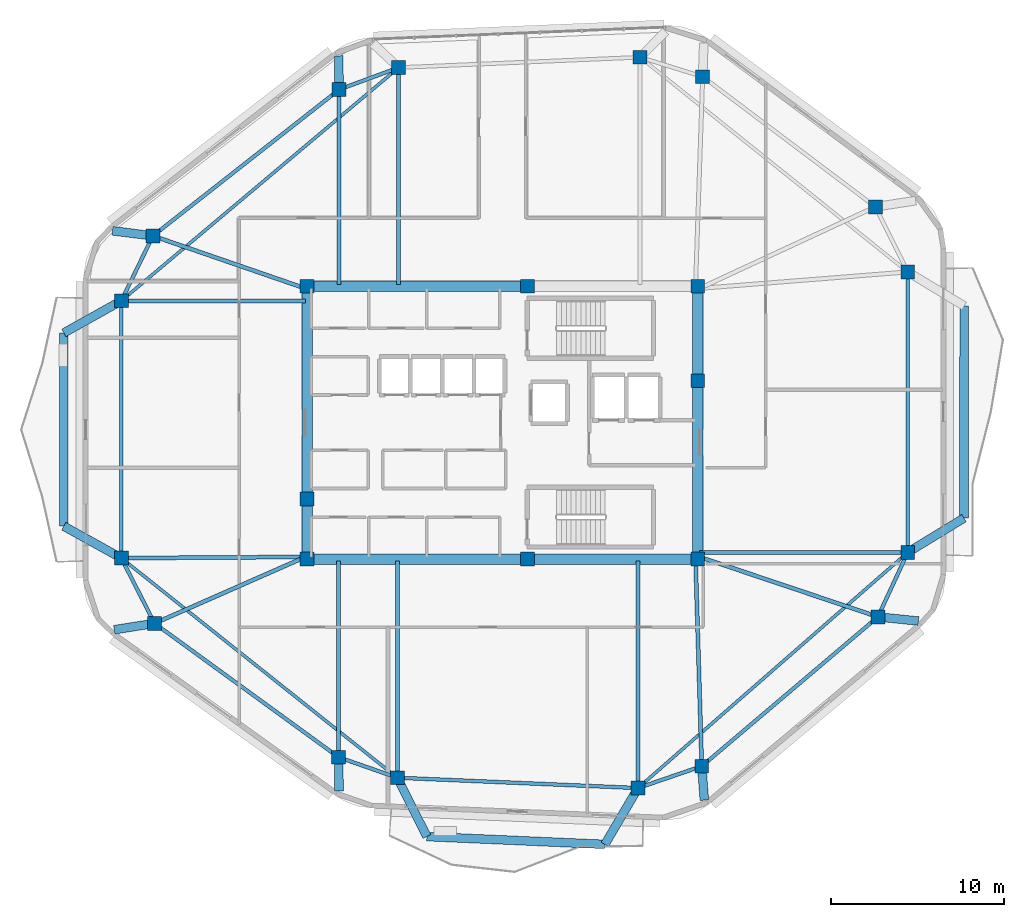
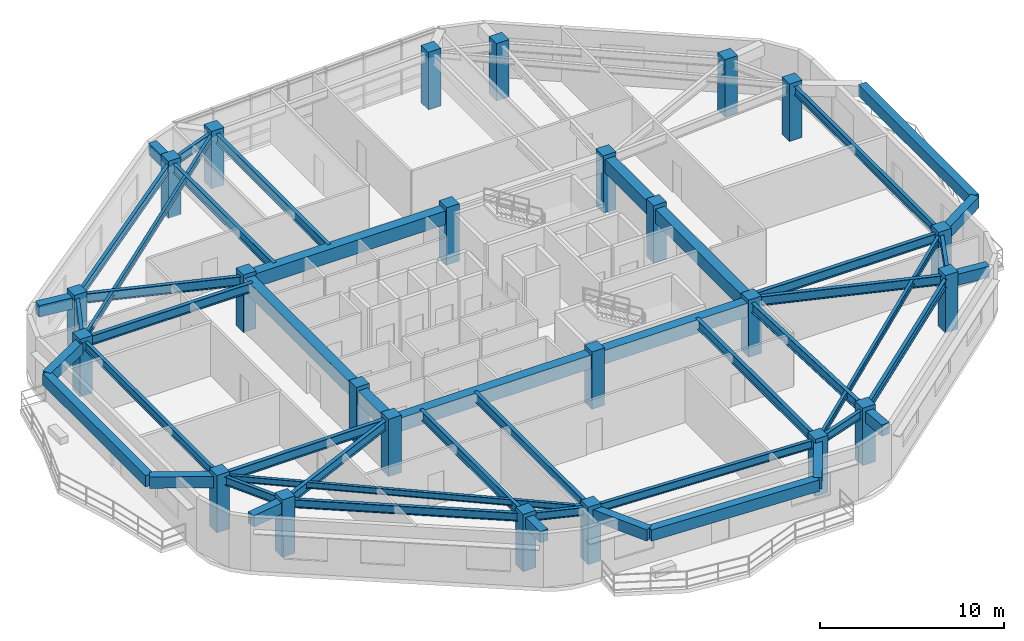
# One storey, part 1 of 12: 48 beams, 24 columns.
"""IFC4 building model written with IfcOpenShell, lengths in metres."""

from ifc_helpers import new_model, si_unit, direction, frame, origin, origin_2d, place, context, subcontext, project, spatial, rectangle, i_section, extrude, material, material_profile, profile_set, type_object, element, save


model = new_model("IFC4")

# Units and contexts
model_context = context("Model", 3, precision=1e-05, world=origin(), true_north=direction((0.0, 1.0)))
body_context = subcontext(model_context, "Body", "Model", "MODEL_VIEW")
ifc_project = project(units=[si_unit("LENGTHUNIT", "METRE"), si_unit("AREAUNIT", "SQUARE_METRE"), si_unit("VOLUMEUNIT", "CUBIC_METRE"), si_unit("PLANEANGLEUNIT", "RADIAN"), si_unit("MASSUNIT", "GRAM", prefix="KILO")], contexts=[model_context])

# Site, building, storey
site_placement = place(None, origin())
site = spatial("IfcSite", under=ifc_project, at=site_placement, CompositionType="ELEMENT")
building_placement = place(site_placement, origin())
building = spatial("IfcBuilding", under=site, at=building_placement, Name="Zulverin Broadcast Headquarters", CompositionType="ELEMENT")
storey_placement = place(building_placement, frame((0.0, 0.0, 285.800048828125)))
storey = spatial("IfcBuildingStorey", under=building, at=storey_placement, Name="L73", CompositionType="ELEMENT", Elevation=285.800048828125)

# Columns
ifc_material_1 = material(Name="Concrete C50/60", Category="concrete")
ifc_material_profile_1 = material_profile(ifc_material_1, rectangle(XDim=0.800048828125, YDim=0.800048828125, at=origin_2d()), Name="Concrete C50/60", Category="concrete")
ifc_profile_set_1 = profile_set([ifc_material_profile_1], Name="Concrete C50/60")
column_type_1 = type_object("IfcColumnType", Name="COL-RC-800", PredefinedType="COLUMN", material=ifc_profile_set_1)
for number, where, z_axis, x_axis, name in (
    (1, (30.93359375, 4.703125, 0.0), (0.0, 0.0, 1.0), (1.0, 0.0, 0.0), "L73 Perimeter Column T01"),
    (2, (44.826904296875, 4.1083984375, 0.0), (0.0, 0.0, 1.0), (1.0, 0.0, 0.0), "L73 Perimeter Column T02"),
    (3, (48.5078125, 5.3701171875, 0.0), (0.0, 0.0, 1.0), (1.0, 0.0, 0.0), "L73 Perimeter Column T03"),
    (4, (58.6748046875, 13.9892578125, 0.0), (0.0, 0.0, 1.0), (1.0, 0.0, 0.0), "L73 Perimeter Column T04"),
    (5, (60.39990234375, 17.713623046875, 0.0), (0.0, 0.0, 1.0), (1.0, 0.0, 0.0), "L73 Perimeter Column T05"),
    (6, (60.39990234375, 33.903076171875, 0.0), (0.0, 0.0, 1.0), (1.0, 0.0, 0.0), "L73 Perimeter Column T06"),
    (7, (58.52587890625, 37.661865234375, 0.0), (0.0, 0.0, 1.0), (1.0, 0.0, 0.0), "L73 Perimeter Column T07"),
    (8, (48.55908203125, 45.172607421875, 0.0), (0.0, 0.0, 1.0), (1.0, 0.0, 0.0), "L73 Perimeter Column T08"),
    (9, (44.944580078125, 46.296630859375, 0.0), (0.0, 0.0, 1.0), (1.0, 0.0, 0.0), "L73 Perimeter Column T09"),
    (10, (31.006591796875, 45.699951171875, 0.0), (0.0, 0.0, 1.0), (1.0, 0.0, 0.0), "L73 Perimeter Column T10"),
    (11, (27.573486328125, 44.4296875, 0.0), (0.0, 0.0, 1.0), (1.0, 0.0, 0.0), "L73 Perimeter Column T11"),
    (12, (16.82177734375, 35.98388671875, 0.0), (0.0, 0.0, 1.0), (1.0, 0.0, 0.0), "L73 Perimeter Column T12"),
    (13, (15.0, 32.236083984375, 0.0), (0.0, 0.0, 1.0), (1.0, 0.0, 0.0), "L73 Perimeter Column T13"),
    (14, (15.0, 17.383056640625, 0.0), (0.0, 0.0, 1.0), (1.0, 0.0, 0.0), "L73 Perimeter Column T14"),
    (15, (16.918212890625, 13.61572265625, 0.0), (0.0, 0.0, 1.0), (1.0, 0.0, 0.0), "L73 Perimeter Column T15"),
    (16, (27.54541015625, 5.8857421875, 0.0), (0.0, 0.0, 1.0), (1.0, 0.0, 0.0), "L73 Perimeter Column T16"),
):
    element("IfcColumn", number, at=place(storey_placement, frame(where, z_axis=z_axis, x_axis=x_axis)), inside=storey, type_object=column_type_1, Name=name, PredefinedType="COLUMN", context=body_context, shape_type="SweptSolid", body=[
        extrude(rectangle(XDim=0.800048828125, YDim=0.800048828125, at=origin_2d()), origin(), (0.0, 0.0, 1.0), 3.800048828125),
    ])
ifc_material_profile_2 = material_profile(ifc_material_1, rectangle(XDim=0.800048828125, YDim=0.800048828125, at=origin_2d()), Name="Concrete C50/60", Category="concrete")
ifc_profile_set_2 = profile_set([ifc_material_profile_2], Name="Concrete C50/60")
column_type_2 = type_object("IfcColumnType", Name="PIL-RC-800", PredefinedType="PILASTER", material=ifc_profile_set_2)
for number, where, z_axis, x_axis, name in (
    (17, (25.72509765625, 17.324951171875, 0.0), (0.0, 0.0, 1.0), (1.0, 0.0, 0.0), "L73 Core Pilaster K01"),
    (18, (38.449951171875, 17.324951171875, 0.0), (0.0, 0.0, 1.0), (1.0, 0.0, 0.0), "L73 Core Pilaster K02"),
    (19, (48.27490234375, 17.324951171875, 0.0), (0.0, 0.0, 1.0), (1.0, 0.0, 0.0), "L73 Core Pilaster K03"),
    (20, (48.27490234375, 27.6201171875, 0.0), (0.0, 0.0, 1.0), (1.0, 0.0, 0.0), "L73 Core Pilaster K04"),
    (21, (48.27490234375, 33.074951171875, 0.0), (0.0, 0.0, 1.0), (1.0, 0.0, 0.0), "L73 Core Pilaster K05"),
    (22, (38.449951171875, 33.074951171875, 0.0), (0.0, 0.0, 1.0), (1.0, 0.0, 0.0), "L73 Core Pilaster K06"),
    (23, (25.72509765625, 33.074951171875, 0.0), (0.0, 0.0, 1.0), (1.0, 0.0, 0.0), "L73 Core Pilaster K07"),
    (24, (25.72509765625, 20.800048828125, 0.0), (0.0, 0.0, 1.0), (1.0, 0.0, 0.0), "L73 Core Pilaster K08"),
):
    element("IfcColumn", number, at=place(storey_placement, frame(where, z_axis=z_axis, x_axis=x_axis)), inside=storey, type_object=column_type_2, Name=name, PredefinedType="PILASTER", context=body_context, shape_type="SweptSolid", body=[
        extrude(rectangle(XDim=0.800048828125, YDim=0.800048828125, at=origin_2d()), origin(), (0.0, 0.0, 1.0), 3.800048828125),
    ])

# Beams
ifc_material_2 = material(Name="Concrete C60/75", Category="concrete")
ifc_material_profile_3 = material_profile(ifc_material_2, rectangle(XDim=0.60009765625, YDim=0.89990234375, at=origin_2d()), Name="Concrete C60/75", Category="concrete")
ifc_profile_set_3 = profile_set([ifc_material_profile_3], Name="Concrete C60/75")
beam_type_1 = type_object("IfcBeamType", Name="BM-CB-600x900", PredefinedType="LINTEL", material=ifc_profile_set_3)
beam_1_placement = place(storey_placement, frame((25.72509765625, 17.324951171875, 3.08984375), z_axis=(1.0, 0.0, 0.0), x_axis=(0.0, 1.0, 0.0)))
element("IfcBeam", 25, at=beam_1_placement, inside=storey, type_object=beam_type_1, Name="L73 Core Coupling Girder K01-K02", PredefinedType="LINTEL", context=body_context, shape_type="SweptSolid", body=[
    extrude(rectangle(XDim=0.60009765625, YDim=0.89990234375, at=origin_2d()), origin(), (0.0, 0.0, 1.0), 12.724853515625),
])
beam_2_placement = place(storey_placement, frame((38.449951171875, 17.324951171875, 3.08984375), z_axis=(1.0, 0.0, 0.0), x_axis=(0.0, 1.0, 0.0)))
element("IfcBeam", 26, at=beam_2_placement, inside=storey, type_object=beam_type_1, Name="L73 Core Coupling Girder K02-K03", PredefinedType="LINTEL", context=body_context, shape_type="SweptSolid", body=[
    extrude(rectangle(XDim=0.60009765625, YDim=0.89990234375, at=origin_2d()), origin(), (0.0, 0.0, 1.0), 9.824951171875),
])
beam_3_placement = place(storey_placement, frame((48.27490234375, 17.324951171875, 3.08984375), z_axis=(0.0, 1.0, 0.0), x_axis=(-1.0, 0.0, 0.0)))
element("IfcBeam", 27, at=beam_3_placement, inside=storey, type_object=beam_type_1, Name="L73 Core Coupling Girder K03-K04", PredefinedType="LINTEL", context=body_context, shape_type="SweptSolid", body=[
    extrude(rectangle(XDim=0.60009765625, YDim=0.89990234375, at=origin_2d()), origin(), (0.0, 0.0, 1.0), 10.295166015625),
])
beam_4_placement = place(storey_placement, frame((48.27490234375, 27.6201171875, 3.08984375), z_axis=(0.0, 1.0, 0.0), x_axis=(-1.0, 0.0, 0.0)))
element("IfcBeam", 28, at=beam_4_placement, inside=storey, type_object=beam_type_1, Name="L73 Core Coupling Girder K04-K05", PredefinedType="LINTEL", context=body_context, shape_type="SweptSolid", body=[
    extrude(rectangle(XDim=0.60009765625, YDim=0.89990234375, at=origin_2d()), origin(), (0.0, 0.0, 1.0), 5.454833984375),
])
beam_5_placement = place(storey_placement, frame((38.449951171875, 33.074951171875, 3.08984375), z_axis=(-1.0, 0.0, 0.0), x_axis=(0.0, -1.0, 0.0)))
element("IfcBeam", 29, at=beam_5_placement, inside=storey, type_object=beam_type_1, Name="L73 Core Coupling Girder K06-K07", PredefinedType="LINTEL", context=body_context, shape_type="SweptSolid", body=[
    extrude(rectangle(XDim=0.60009765625, YDim=0.89990234375, at=origin_2d()), origin(), (0.0, 0.0, 1.0), 12.724853515625),
])
beam_6_placement = place(storey_placement, frame((25.72509765625, 33.074951171875, 3.08984375), z_axis=(0.0, -1.0, 0.0), x_axis=(1.0, 0.0, 0.0)))
element("IfcBeam", 30, at=beam_6_placement, inside=storey, type_object=beam_type_1, Name="L73 Core Coupling Girder K07-K08", PredefinedType="LINTEL", context=body_context, shape_type="SweptSolid", body=[
    extrude(rectangle(XDim=0.60009765625, YDim=0.89990234375, at=origin_2d()), origin(), (0.0, 0.0, 1.0), 12.27490234375),
])
beam_7_placement = place(storey_placement, frame((25.72509765625, 20.800048828125, 3.08984375), z_axis=(0.0, -1.0, 0.0), x_axis=(1.0, 0.0, 0.0)))
element("IfcBeam", 31, at=beam_7_placement, inside=storey, type_object=beam_type_1, Name="L73 Core Coupling Girder K08-K01", PredefinedType="LINTEL", context=body_context, shape_type="SweptSolid", body=[
    extrude(rectangle(XDim=0.60009765625, YDim=0.89990234375, at=origin_2d()), origin(), (0.0, 0.0, 1.0), 3.47509765625),
])
ifc_material_3 = material(Name="Concrete C40/50", Category="concrete")
ifc_material_profile_4 = material_profile(ifc_material_3, rectangle(XDim=0.5, YDim=0.75, at=origin_2d()), Name="Concrete C40/50", Category="concrete")
ifc_profile_set_4 = profile_set([ifc_material_profile_4], Name="Concrete C40/50")
beam_type_2 = type_object("IfcBeamType", Name="BM-RC-500x750", PredefinedType="BEAM", material=ifc_profile_set_4)
beam_8_placement = place(storey_placement, frame((48.5078125, 5.3701171875, 3.1650390625), z_axis=(0.074434680239, -0.997225891349, 0.0), x_axis=(0.997225891349, 0.074434680239, 0.0)))
element("IfcBeam", 32, at=beam_8_placement, inside=storey, type_object=beam_type_2, Name="L74 Plate Overhang Back-Spanned Beam OVR-03", PredefinedType="BEAM", context=body_context, shape_type="SweptSolid", body=[
    extrude(rectangle(XDim=0.5, YDim=0.75, at=origin_2d()), origin(), (0.0, 0.0, 1.0), 1.964599609375),
])
beam_9_placement = place(storey_placement, frame((58.6748046875, 13.9892578125, 3.1650390625), z_axis=(0.994775761489, -0.10208420227, 0.0), x_axis=(0.10208420227, 0.994775761489, 0.0)))
element("IfcBeam", 33, at=beam_9_placement, inside=storey, type_object=beam_type_2, Name="L74 Plate Overhang Back-Spanned Beam OVR-04", PredefinedType="BEAM", context=body_context, shape_type="SweptSolid", body=[
    extrude(rectangle(XDim=0.5, YDim=0.75, at=origin_2d()), origin(), (0.0, 0.0, 1.0), 2.350830078125),
])
beam_10_placement = place(storey_placement, frame((27.573486328125, 44.4296875, 3.1650390625), z_axis=(-0.015261577794, 0.99988353534, 0.0), x_axis=(-0.99988353534, -0.015261577794, 0.0)))
element("IfcBeam", 34, at=beam_10_placement, inside=storey, type_object=beam_type_2, Name="L74 Plate Overhang Back-Spanned Beam OVR-11", PredefinedType="BEAM", context=body_context, shape_type="SweptSolid", body=[
    extrude(rectangle(XDim=0.5, YDim=0.75, at=origin_2d()), origin(), (0.0, 0.0, 1.0), 1.95166015625),
])
beam_11_placement = place(storey_placement, frame((16.82177734375, 35.98388671875, 3.1650390625), z_axis=(-0.992249101717, 0.124264718012, 0.0), x_axis=(-0.124264718012, -0.992249101717, 0.0)))
element("IfcBeam", 35, at=beam_11_placement, inside=storey, type_object=beam_type_2, Name="L74 Plate Overhang Back-Spanned Beam OVR-12", PredefinedType="BEAM", context=body_context, shape_type="SweptSolid", body=[
    extrude(rectangle(XDim=0.5, YDim=0.75, at=origin_2d()), origin(), (0.0, 0.0, 1.0), 2.351806640625),
])
beam_12_placement = place(storey_placement, frame((16.918212890625, 13.61572265625, 3.1650390625), z_axis=(-0.987723457787, -0.156212582521, 0.0), x_axis=(0.156212582521, -0.987723457787, 0.0)))
element("IfcBeam", 36, at=beam_12_placement, inside=storey, type_object=beam_type_2, Name="L74 Plate Overhang Back-Spanned Beam OVR-15", PredefinedType="BEAM", context=body_context, shape_type="SweptSolid", body=[
    extrude(rectangle(XDim=0.5, YDim=0.75, at=origin_2d()), origin(), (0.0, 0.0, 1.0), 2.35693359375),
])
beam_13_placement = place(storey_placement, frame((27.54541015625, 5.8857421875, 3.1650390625), z_axis=(0.012082189143, -0.999927007689, 0.0), x_axis=(0.999927007689, 0.012082189143, 0.0)))
element("IfcBeam", 37, at=beam_13_placement, inside=storey, type_object=beam_type_2, Name="L74 Plate Overhang Back-Spanned Beam OVR-16", PredefinedType="BEAM", context=body_context, shape_type="SweptSolid", body=[
    extrude(rectangle(XDim=0.5, YDim=0.75, at=origin_2d()), origin(), (0.0, 0.0, 1.0), 1.93994140625),
])
beam_14_placement = place(storey_placement, frame((60.39990234375, 17.713623046875, 3.1650390625), z_axis=(0.853361233194, 0.521320060694, 0.0), x_axis=(-0.521320060694, 0.853361233194, 0.0)))
element("IfcBeam", 38, at=beam_14_placement, inside=storey, type_object=beam_type_2, Name="L74 Balcony Column-Framed Cantilever BAL_E-1", PredefinedType="BEAM", context=body_context, shape_type="SweptSolid", body=[
    extrude(rectangle(XDim=0.5, YDim=0.75, at=origin_2d()), origin(), (0.0, 0.0, 1.0), 3.7998046875),
])
beam_15_placement = place(storey_placement, frame((63.642578125, 19.694580078125, 3.1650390625), z_axis=(0.000757802156, 0.999999712868, 0.0), x_axis=(-0.999999712868, 0.000757802156, 0.0)))
element("IfcBeam", 39, at=beam_15_placement, inside=storey, type_object=beam_type_2, Name="L74 Balcony Outer Edge Trimmer Beam BAL_E", PredefinedType="BEAM", context=body_context, shape_type="SweptSolid", body=[
    extrude(rectangle(XDim=0.5, YDim=0.75, at=origin_2d()), origin(), (0.0, 0.0, 1.0), 12.242431640625),
])
beam_16_placement = place(storey_placement, frame((30.93359375, 4.703125, 3.1650390625), z_axis=(0.448138545503, -0.893964117868, 0.0), x_axis=(0.893964117868, 0.448138545503, 0.0)))
element("IfcBeam", 40, at=beam_16_placement, inside=storey, type_object=beam_type_2, Name="L74 Balcony Column-Framed Cantilever BAL_S-1", PredefinedType="BEAM", context=body_context, shape_type="SweptSolid", body=[
    extrude(rectangle(XDim=0.5, YDim=0.75, at=origin_2d()), origin(), (0.0, 0.0, 1.0), 3.7998046875),
])
beam_17_placement = place(storey_placement, frame((44.826904296875, 4.1083984375, 3.1650390625), z_axis=(-0.506955055331, -0.861972489047, 0.0), x_axis=(0.861972489047, -0.506955055331, 0.0)))
element("IfcBeam", 41, at=beam_17_placement, inside=storey, type_object=beam_type_2, Name="L74 Balcony Column-Framed Cantilever BAL_S-2", PredefinedType="BEAM", context=body_context, shape_type="SweptSolid", body=[
    extrude(rectangle(XDim=0.5, YDim=0.75, at=origin_2d()), origin(), (0.0, 0.0, 1.0), 3.771240234375),
])
beam_18_placement = place(storey_placement, frame((32.636474609375, 1.30615234375, 3.1650390625), z_axis=(0.999049430425, -0.043591691496, 0.0), x_axis=(0.043591691496, 0.999049430425, 0.0)))
element("IfcBeam", 42, at=beam_18_placement, inside=storey, type_object=beam_type_2, Name="L74 Balcony Outer Edge Trimmer Beam BAL_S", PredefinedType="BEAM", context=body_context, shape_type="SweptSolid", body=[
    extrude(rectangle(XDim=0.5, YDim=0.75, at=origin_2d()), origin(), (0.0, 0.0, 1.0), 10.288330078125),
])
for number, where, z_axis, x_axis, name in (
    (43, (15.0, 32.236083984375, 3.1650390625), (-0.873048873834, -0.487632714137, 0.0), (0.487632714137, -0.873048873834, 0.0), "L74 Balcony Column-Framed Cantilever BAL_W-1"),
    (44, (15.0, 17.383056640625, 3.1650390625), (-0.874614506894, 0.484819001618, 0.0), (-0.484819001618, -0.874614506894, 0.0), "L74 Balcony Column-Framed Cantilever BAL_W-2"),
):
    element("IfcBeam", number, at=place(storey_placement, frame(where, z_axis=z_axis, x_axis=x_axis)), inside=storey, type_object=beam_type_2, Name=name, PredefinedType="BEAM", context=body_context, shape_type="SweptSolid", body=[
        extrude(rectangle(XDim=0.5, YDim=0.75, at=origin_2d()), origin(), (0.0, 0.0, 1.0), 3.800048828125),
    ])
beam_19_placement = place(storey_placement, frame((11.682373046875, 30.383056640625, 3.1650390625), z_axis=(-0.000525141059, -0.999999862113, 0.0), x_axis=(0.999999862113, -0.000525141059, 0.0)))
element("IfcBeam", 45, at=beam_19_placement, inside=storey, type_object=beam_type_2, Name="L74 Balcony Outer Edge Trimmer Beam BAL_W", PredefinedType="BEAM", context=body_context, shape_type="SweptSolid", body=[
    extrude(rectangle(XDim=0.5, YDim=0.75, at=origin_2d()), origin(), (0.0, 0.0, 1.0), 11.15771484375),
])
ifc_material_4 = material(Name="Structural steel S355JR", Category="steel")
ifc_material_profile_5 = material_profile(ifc_material_4, i_section(OverallWidth=0.179443359375, OverallDepth=0.412841796875, WebThickness=0.009521484375, FlangeThickness=0.01611328125, at=origin_2d()), Name="Structural steel S355JR", Category="steel")
ifc_profile_set_5 = profile_set([ifc_material_profile_5], Name="Structural steel S355JR")
beam_type_3 = type_object("IfcBeamType", Name="BM-UB-406", PredefinedType="JOIST", material=ifc_profile_set_5)
beam_20_placement = place(storey_placement, frame((44.826904296875, 4.1083984375, 3.33349609375), z_axis=(0.753083303383, 0.657925176723, 0.0), x_axis=(-0.657925176723, 0.753083303383, 0.0)))
element("IfcBeam", 46, at=beam_20_placement, inside=storey, type_object=beam_type_3, Name="L73 Chordal Floor Joist J-01", PredefinedType="JOIST", context=body_context, shape_type="SweptSolid", body=[
    extrude(i_section(OverallWidth=0.179443359375, OverallDepth=0.412841796875, WebThickness=0.009521484375, FlangeThickness=0.01611328125, at=origin_2d()), origin(), (0.0, 0.0, 1.0), 20.678955078125),
])
beam_21_placement = place(storey_placement, frame((31.006591796875, 45.699951171875, 3.33349609375), z_axis=(-0.765273089862, -0.643705754156, 0.0), x_axis=(0.643705754156, -0.765273089862, 0.0)))
element("IfcBeam", 47, at=beam_21_placement, inside=storey, type_object=beam_type_3, Name="L73 Chordal Floor Joist J-03", PredefinedType="JOIST", context=body_context, shape_type="SweptSolid", body=[
    extrude(i_section(OverallWidth=0.179443359375, OverallDepth=0.412841796875, WebThickness=0.009521484375, FlangeThickness=0.01611328125, at=origin_2d()), origin(), (0.0, 0.0, 1.0), 20.916259765625),
])
beam_22_placement = place(storey_placement, frame((15.0, 17.383056640625, 3.33349609375), z_axis=(0.782469878912, -0.622688436214, 0.0), x_axis=(0.622688436214, 0.782469878912, 0.0)))
element("IfcBeam", 48, at=beam_22_placement, inside=storey, type_object=beam_type_3, Name="L73 Chordal Floor Joist J-04", PredefinedType="JOIST", context=body_context, shape_type="SweptSolid", body=[
    extrude(i_section(OverallWidth=0.179443359375, OverallDepth=0.412841796875, WebThickness=0.009521484375, FlangeThickness=0.01611328125, at=origin_2d()), origin(), (0.0, 0.0, 1.0), 20.36328125),
])
ifc_material_profile_6 = material_profile(ifc_material_4, i_section(OverallWidth=0.2119140625, OverallDepth=0.54443359375, WebThickness=0.0126953125, FlangeThickness=0.021240234375, at=origin_2d()), Name="Structural steel S355JR", Category="steel")
ifc_profile_set_6 = profile_set([ifc_material_profile_6], Name="Structural steel S355JR")
beam_type_4 = type_object("IfcBeamType", Name="BM-UB-533", PredefinedType="SPANDREL", material=ifc_profile_set_6)
beam_23_placement = place(storey_placement, frame((30.93359375, 4.703125, 3.267578125), z_axis=(0.999085051108, -0.042767518662, 0.0), x_axis=(0.042767518662, 0.999085051108, 0.0)))
element("IfcBeam", 49, at=beam_23_placement, inside=storey, type_object=beam_type_4, Name="L73 Perimeter Spandrel Beam SP-01", PredefinedType="SPANDREL", context=body_context, shape_type="SweptSolid", body=[
    extrude(i_section(OverallWidth=0.2119140625, OverallDepth=0.54443359375, WebThickness=0.0126953125, FlangeThickness=0.021240234375, at=origin_2d()), origin(), (0.0, 0.0, 1.0), 13.906005859375),
])
beam_24_placement = place(storey_placement, frame((44.826904296875, 4.1083984375, 3.267578125), z_axis=(0.945970142065, 0.324253743728, 0.0), x_axis=(-0.324253743728, 0.945970142065, 0.0)))
element("IfcBeam", 50, at=beam_24_placement, inside=storey, type_object=beam_type_4, Name="L73 Perimeter Spandrel Beam SP-02", PredefinedType="SPANDREL", context=body_context, shape_type="SweptSolid", body=[
    extrude(i_section(OverallWidth=0.2119140625, OverallDepth=0.54443359375, WebThickness=0.0126953125, FlangeThickness=0.021240234375, at=origin_2d()), origin(), (0.0, 0.0, 1.0), 3.89111328125),
])
beam_25_placement = place(storey_placement, frame((48.5078125, 5.3701171875, 3.267578125), z_axis=(0.762782889345, 0.646654671152, 0.0), x_axis=(-0.646654671152, 0.762782889345, 0.0)))
element("IfcBeam", 51, at=beam_25_placement, inside=storey, type_object=beam_type_4, Name="L73 Perimeter Spandrel Beam SP-03", PredefinedType="SPANDREL", context=body_context, shape_type="SweptSolid", body=[
    extrude(i_section(OverallWidth=0.2119140625, OverallDepth=0.54443359375, WebThickness=0.0126953125, FlangeThickness=0.021240234375, at=origin_2d()), origin(), (0.0, 0.0, 1.0), 13.328857421875),
])
beam_26_placement = place(storey_placement, frame((58.6748046875, 13.9892578125, 3.267578125), z_axis=(0.420294999852, 0.907387520908, 0.0), x_axis=(-0.907387520908, 0.420294999852, 0.0)))
element("IfcBeam", 52, at=beam_26_placement, inside=storey, type_object=beam_type_4, Name="L73 Perimeter Spandrel Beam SP-04", PredefinedType="SPANDREL", context=body_context, shape_type="SweptSolid", body=[
    extrude(i_section(OverallWidth=0.2119140625, OverallDepth=0.54443359375, WebThickness=0.0126953125, FlangeThickness=0.021240234375, at=origin_2d()), origin(), (0.0, 0.0, 1.0), 4.1044921875),
])
beam_27_placement = place(storey_placement, frame((60.39990234375, 17.713623046875, 3.267578125), z_axis=(0.0, 1.0, 0.0), x_axis=(-1.0, 0.0, 0.0)))
element("IfcBeam", 53, at=beam_27_placement, inside=storey, type_object=beam_type_4, Name="L73 Perimeter Spandrel Beam SP-05", PredefinedType="SPANDREL", context=body_context, shape_type="SweptSolid", body=[
    extrude(i_section(OverallWidth=0.2119140625, OverallDepth=0.54443359375, WebThickness=0.0126953125, FlangeThickness=0.021240234375, at=origin_2d()), origin(), (0.0, 0.0, 1.0), 16.189453125),
])
beam_28_placement = place(storey_placement, frame((31.006591796875, 45.699951171875, 3.267578125), z_axis=(-0.937860540342, -0.347012401607, 0.0), x_axis=(0.347012401607, -0.937860540342, 0.0)))
element("IfcBeam", 54, at=beam_28_placement, inside=storey, type_object=beam_type_4, Name="L73 Perimeter Spandrel Beam SP-10", PredefinedType="SPANDREL", context=body_context, shape_type="SweptSolid", body=[
    extrude(i_section(OverallWidth=0.2119140625, OverallDepth=0.54443359375, WebThickness=0.0126953125, FlangeThickness=0.021240234375, at=origin_2d()), origin(), (0.0, 0.0, 1.0), 3.66064453125),
])
beam_29_placement = place(storey_placement, frame((27.573486328125, 44.4296875, 3.267578125), z_axis=(-0.786388352061, -0.617732433779, 0.0), x_axis=(0.617732433779, -0.786388352061, 0.0)))
element("IfcBeam", 55, at=beam_29_placement, inside=storey, type_object=beam_type_4, Name="L73 Perimeter Spandrel Beam SP-11", PredefinedType="SPANDREL", context=body_context, shape_type="SweptSolid", body=[
    extrude(i_section(OverallWidth=0.2119140625, OverallDepth=0.54443359375, WebThickness=0.0126953125, FlangeThickness=0.021240234375, at=origin_2d()), origin(), (0.0, 0.0, 1.0), 13.67236328125),
])
beam_30_placement = place(storey_placement, frame((16.82177734375, 35.98388671875, 3.267578125), z_axis=(-0.437178884994, -0.899374572976, 0.0), x_axis=(0.899374572976, -0.437178884994, 0.0)))
element("IfcBeam", 56, at=beam_30_placement, inside=storey, type_object=beam_type_4, Name="L73 Perimeter Spandrel Beam SP-12", PredefinedType="SPANDREL", context=body_context, shape_type="SweptSolid", body=[
    extrude(i_section(OverallWidth=0.2119140625, OverallDepth=0.54443359375, WebThickness=0.0126953125, FlangeThickness=0.021240234375, at=origin_2d()), origin(), (0.0, 0.0, 1.0), 4.167236328125),
])
beam_31_placement = place(storey_placement, frame((15.0, 32.236083984375, 3.267578125), z_axis=(0.0, -1.0, 0.0), x_axis=(1.0, 0.0, 0.0)))
element("IfcBeam", 57, at=beam_31_placement, inside=storey, type_object=beam_type_4, Name="L73 Perimeter Spandrel Beam SP-13", PredefinedType="SPANDREL", context=body_context, shape_type="SweptSolid", body=[
    extrude(i_section(OverallWidth=0.2119140625, OverallDepth=0.54443359375, WebThickness=0.0126953125, FlangeThickness=0.021240234375, at=origin_2d()), origin(), (0.0, 0.0, 1.0), 14.85302734375),
])
beam_32_placement = place(storey_placement, frame((15.0, 17.383056640625, 3.267578125), z_axis=(0.453738909408, -0.89113467113, 0.0), x_axis=(0.89113467113, 0.453738909408, 0.0)))
element("IfcBeam", 58, at=beam_32_placement, inside=storey, type_object=beam_type_4, Name="L73 Perimeter Spandrel Beam SP-14", PredefinedType="SPANDREL", context=body_context, shape_type="SweptSolid", body=[
    extrude(i_section(OverallWidth=0.2119140625, OverallDepth=0.54443359375, WebThickness=0.0126953125, FlangeThickness=0.021240234375, at=origin_2d()), origin(), (0.0, 0.0, 1.0), 4.2275390625),
])
beam_33_placement = place(storey_placement, frame((16.918212890625, 13.61572265625, 3.267578125), z_axis=(0.808695913066, -0.588226929162, 0.0), x_axis=(0.588226929162, 0.808695913066, 0.0)))
element("IfcBeam", 59, at=beam_33_placement, inside=storey, type_object=beam_type_4, Name="L73 Perimeter Spandrel Beam SP-15", PredefinedType="SPANDREL", context=body_context, shape_type="SweptSolid", body=[
    extrude(i_section(OverallWidth=0.2119140625, OverallDepth=0.54443359375, WebThickness=0.0126953125, FlangeThickness=0.021240234375, at=origin_2d()), origin(), (0.0, 0.0, 1.0), 13.14111328125),
])
beam_34_placement = place(storey_placement, frame((27.54541015625, 5.8857421875, 3.267578125), z_axis=(0.944140138036, -0.329544230339, 0.0), x_axis=(0.329544230339, 0.944140138036, 0.0)))
element("IfcBeam", 60, at=beam_34_placement, inside=storey, type_object=beam_type_4, Name="L73 Perimeter Spandrel Beam SP-16", PredefinedType="SPANDREL", context=body_context, shape_type="SweptSolid", body=[
    extrude(i_section(OverallWidth=0.2119140625, OverallDepth=0.54443359375, WebThickness=0.0126953125, FlangeThickness=0.021240234375, at=origin_2d()), origin(), (0.0, 0.0, 1.0), 3.588623046875),
])
ifc_material_profile_7 = material_profile(ifc_material_4, i_section(OverallWidth=0.230224609375, OverallDepth=0.6171875, WebThickness=0.01318359375, FlangeThickness=0.022216796875, at=origin_2d()), Name="Structural steel S355JR", Category="steel")
ifc_profile_set_7 = profile_set([ifc_material_profile_7], Name="Structural steel S355JR")
beam_type_5 = type_object("IfcBeamType", Name="BM-UB-610", PredefinedType="BEAM", material=ifc_profile_set_7)
beam_35_placement = place(storey_placement, frame((30.93359375, 17.22509765625, 3.2314453125), z_axis=(0.0, -1.0, 0.0), x_axis=(1.0, 0.0, 0.0)))
element("IfcBeam", 61, at=beam_35_placement, inside=storey, type_object=beam_type_5, Name="L73 Radial Primary Floor Beam RB-01", PredefinedType="BEAM", context=body_context, shape_type="SweptSolid", body=[
    extrude(i_section(OverallWidth=0.230224609375, OverallDepth=0.6171875, WebThickness=0.01318359375, FlangeThickness=0.022216796875, at=origin_2d()), origin(), (0.0, 0.0, 1.0), 12.52197265625),
])
beam_36_placement = place(storey_placement, frame((44.826904296875, 17.22509765625, 3.2314453125), z_axis=(0.0, -1.0, 0.0), x_axis=(1.0, 0.0, 0.0)))
element("IfcBeam", 62, at=beam_36_placement, inside=storey, type_object=beam_type_5, Name="L73 Radial Primary Floor Beam RB-02", PredefinedType="BEAM", context=body_context, shape_type="SweptSolid", body=[
    extrude(i_section(OverallWidth=0.230224609375, OverallDepth=0.6171875, WebThickness=0.01318359375, FlangeThickness=0.022216796875, at=origin_2d()), origin(), (0.0, 0.0, 1.0), 13.11669921875),
])
beam_37_placement = place(storey_placement, frame((48.14990234375, 17.22509765625, 3.2314453125), z_axis=(0.030176950096, -0.999544572134, 0.0), x_axis=(0.999544572134, 0.030176950096, 0.0)))
element("IfcBeam", 63, at=beam_37_placement, inside=storey, type_object=beam_type_5, Name="L73 Radial Primary Floor Beam RB-03", PredefinedType="BEAM", context=body_context, shape_type="SweptSolid", body=[
    extrude(i_section(OverallWidth=0.230224609375, OverallDepth=0.6171875, WebThickness=0.01318359375, FlangeThickness=0.022216796875, at=origin_2d()), origin(), (0.0, 0.0, 1.0), 11.8603515625),
])
beam_38_placement = place(storey_placement, frame((48.375, 17.449951171875, 3.2314453125), z_axis=(0.947923372096, -0.318498478228, 0.0), x_axis=(0.318498478228, 0.947923372096, 0.0)))
element("IfcBeam", 64, at=beam_38_placement, inside=storey, type_object=beam_type_5, Name="L73 Radial Primary Floor Beam RB-04", PredefinedType="BEAM", context=body_context, shape_type="SweptSolid", body=[
    extrude(i_section(OverallWidth=0.230224609375, OverallDepth=0.6171875, WebThickness=0.01318359375, FlangeThickness=0.022216796875, at=origin_2d()), origin(), (0.0, 0.0, 1.0), 10.86572265625),
])
beam_39_placement = place(storey_placement, frame((48.375, 17.713623046875, 3.2314453125), z_axis=(1.0, 0.0, 0.0), x_axis=(0.0, 1.0, 0.0)))
element("IfcBeam", 65, at=beam_39_placement, inside=storey, type_object=beam_type_5, Name="L73 Radial Primary Floor Beam RB-05", PredefinedType="BEAM", context=body_context, shape_type="SweptSolid", body=[
    extrude(i_section(OverallWidth=0.230224609375, OverallDepth=0.6171875, WebThickness=0.01318359375, FlangeThickness=0.022216796875, at=origin_2d()), origin(), (0.0, 0.0, 1.0), 12.02490234375),
])
beam_40_placement = place(storey_placement, frame((31.006591796875, 33.175048828125, 3.2314453125), z_axis=(0.0, 1.0, 0.0), x_axis=(-1.0, 0.0, 0.0)))
element("IfcBeam", 66, at=beam_40_placement, inside=storey, type_object=beam_type_5, Name="L73 Radial Primary Floor Beam RB-10", PredefinedType="BEAM", context=body_context, shape_type="SweptSolid", body=[
    extrude(i_section(OverallWidth=0.230224609375, OverallDepth=0.6171875, WebThickness=0.01318359375, FlangeThickness=0.022216796875, at=origin_2d()), origin(), (0.0, 0.0, 1.0), 12.52490234375),
])
beam_41_placement = place(storey_placement, frame((27.573486328125, 33.175048828125, 3.2314453125), z_axis=(0.0, 1.0, 0.0), x_axis=(-1.0, 0.0, 0.0)))
element("IfcBeam", 67, at=beam_41_placement, inside=storey, type_object=beam_type_5, Name="L73 Radial Primary Floor Beam RB-11", PredefinedType="BEAM", context=body_context, shape_type="SweptSolid", body=[
    extrude(i_section(OverallWidth=0.230224609375, OverallDepth=0.6171875, WebThickness=0.01318359375, FlangeThickness=0.022216796875, at=origin_2d()), origin(), (0.0, 0.0, 1.0), 11.254638671875),
])
beam_42_placement = place(storey_placement, frame((25.625, 32.949951171875, 3.2314453125), z_axis=(-0.945427859505, 0.325831493984, 0.0), x_axis=(-0.325831493984, -0.945427859505, 0.0)))
element("IfcBeam", 68, at=beam_42_placement, inside=storey, type_object=beam_type_5, Name="L73 Radial Primary Floor Beam RB-12", PredefinedType="BEAM", context=body_context, shape_type="SweptSolid", body=[
    extrude(i_section(OverallWidth=0.230224609375, OverallDepth=0.6171875, WebThickness=0.01318359375, FlangeThickness=0.022216796875, at=origin_2d()), origin(), (0.0, 0.0, 1.0), 9.311279296875),
])
beam_43_placement = place(storey_placement, frame((25.625, 32.236083984375, 3.2314453125), z_axis=(-1.0, 0.0, 0.0), x_axis=(0.0, -1.0, 0.0)))
element("IfcBeam", 69, at=beam_43_placement, inside=storey, type_object=beam_type_5, Name="L73 Radial Primary Floor Beam RB-13", PredefinedType="BEAM", context=body_context, shape_type="SweptSolid", body=[
    extrude(i_section(OverallWidth=0.230224609375, OverallDepth=0.6171875, WebThickness=0.01318359375, FlangeThickness=0.022216796875, at=origin_2d()), origin(), (0.0, 0.0, 1.0), 10.625),
])
beam_44_placement = place(storey_placement, frame((25.625, 17.449951171875, 3.2314453125), z_axis=(-0.999980181059, -0.006295831103, 0.0), x_axis=(0.006295831103, -0.999980181059, 0.0)))
element("IfcBeam", 70, at=beam_44_placement, inside=storey, type_object=beam_type_5, Name="L73 Radial Primary Floor Beam RB-14", PredefinedType="BEAM", context=body_context, shape_type="SweptSolid", body=[
    extrude(i_section(OverallWidth=0.230224609375, OverallDepth=0.6171875, WebThickness=0.01318359375, FlangeThickness=0.022216796875, at=origin_2d()), origin(), (0.0, 0.0, 1.0), 10.625244140625),
])
beam_45_placement = place(storey_placement, frame((25.625, 17.449951171875, 3.2314453125), z_axis=(-0.915189360301, -0.403024111924, 0.0), x_axis=(0.403024111924, -0.915189360301, 0.0)))
element("IfcBeam", 71, at=beam_45_placement, inside=storey, type_object=beam_type_5, Name="L73 Radial Primary Floor Beam RB-15", PredefinedType="BEAM", context=body_context, shape_type="SweptSolid", body=[
    extrude(i_section(OverallWidth=0.230224609375, OverallDepth=0.6171875, WebThickness=0.01318359375, FlangeThickness=0.022216796875, at=origin_2d()), origin(), (0.0, 0.0, 1.0), 9.513671875),
])
beam_46_placement = place(storey_placement, frame((27.54541015625, 17.22509765625, 3.2314453125), z_axis=(0.0, -1.0, 0.0), x_axis=(1.0, 0.0, 0.0)))
element("IfcBeam", 72, at=beam_46_placement, inside=storey, type_object=beam_type_5, Name="L73 Radial Primary Floor Beam RB-16", PredefinedType="BEAM", context=body_context, shape_type="SweptSolid", body=[
    extrude(i_section(OverallWidth=0.230224609375, OverallDepth=0.6171875, WebThickness=0.01318359375, FlangeThickness=0.022216796875, at=origin_2d()), origin(), (0.0, 0.0, 1.0), 11.33935546875),
])

save(model, "model.ifc")
